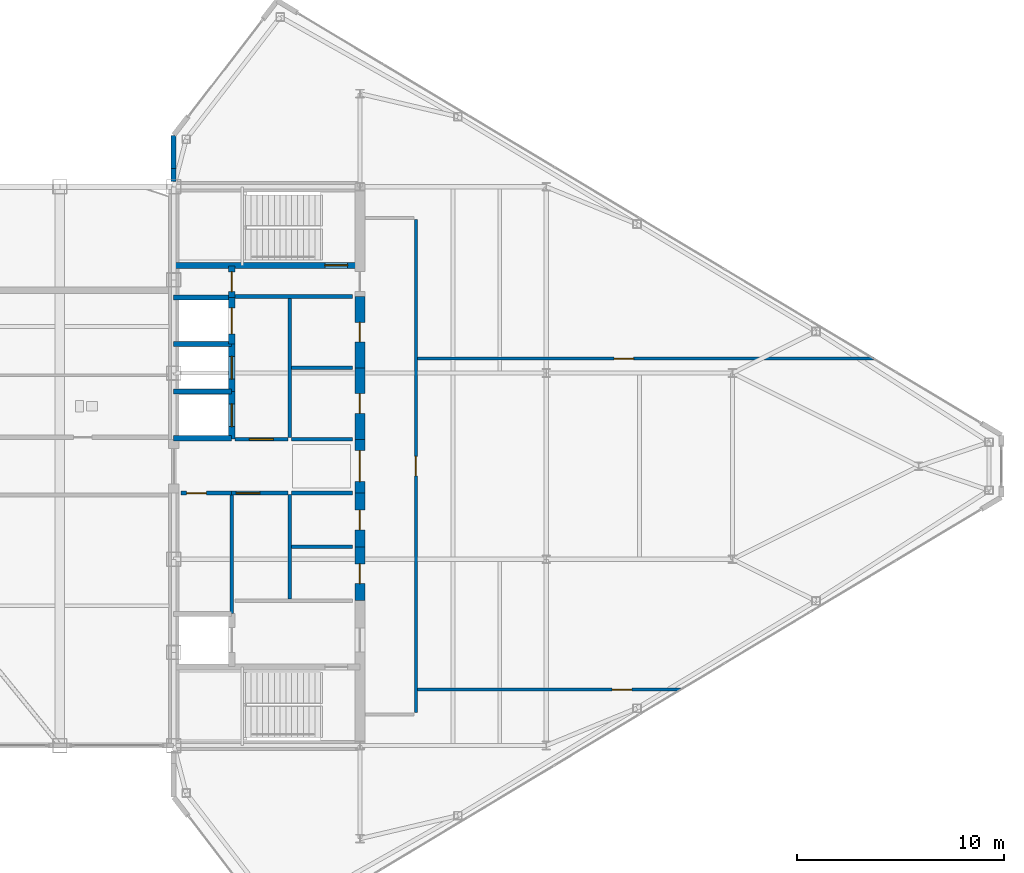
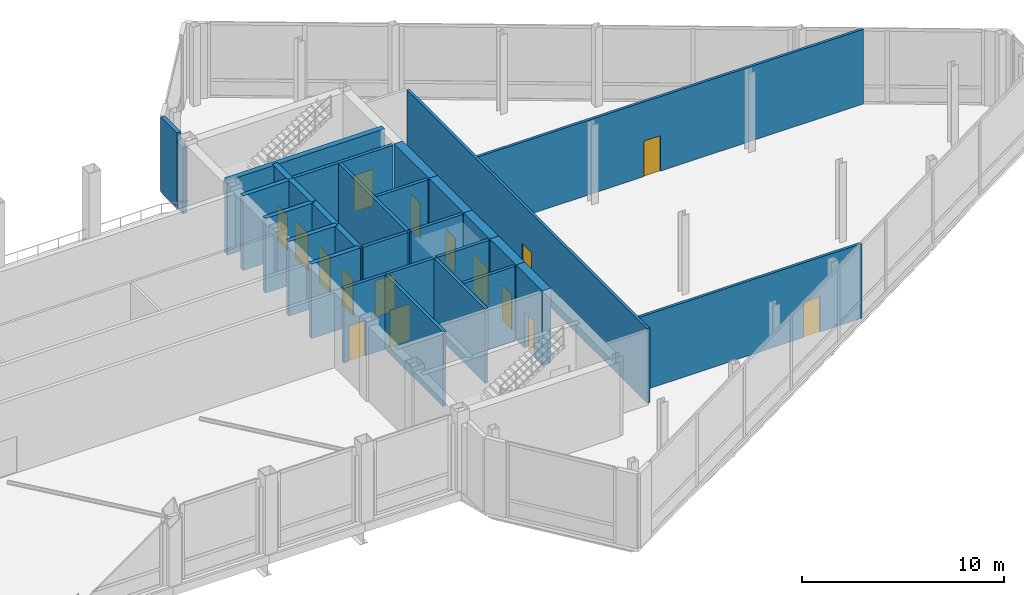
# One storey, part 24 of 28: 30 walls, 16 doors, 16 openings.
"""IFC4 building model written with IfcOpenShell, lengths in metres."""

from ifc_helpers import new_model, si_unit, direction, frame, frame_2d, origin, place, context, subcontext, project, spatial, rectangle, extrude, source, transform, mapped, material, layer, layer_set, type_object, type_shapes, element, fill, save


model = new_model("IFC4")

# Units and contexts
model_context = context("Model", 3, precision=1e-05, world=origin(), true_north=direction((0.0, 1.0)))
body_context = subcontext(model_context, "Body", "Model", "MODEL_VIEW")
ifc_project = project(units=[si_unit("LENGTHUNIT", "METRE"), si_unit("AREAUNIT", "SQUARE_METRE"), si_unit("VOLUMEUNIT", "CUBIC_METRE"), si_unit("PLANEANGLEUNIT", "RADIAN"), si_unit("MASSUNIT", "GRAM", prefix="KILO")], contexts=[model_context])

# Site, building, storey
site_placement = place(None, origin())
site = spatial("IfcSite", under=ifc_project, at=site_placement, CompositionType="ELEMENT")
building_placement = place(site_placement, origin())
building = spatial("IfcBuilding", under=site, at=building_placement, Name="Seokmaru Belvedere", CompositionType="ELEMENT")
storey_placement = place(building_placement, frame((0.0, 0.0, 274.199951171875)))
storey = spatial("IfcBuildingStorey", under=building, at=storey_placement, Name="L72", CompositionType="ELEMENT", Elevation=274.199951171875)

# Wall, opening, door
ifc_material_1 = material(Name="Fire-Rated Gypsum Shaftwall")
ifc_layer_1 = layer(ifc_material_1, 0.14990234375)
ifc_layer_set_1 = layer_set([ifc_layer_1], Name="Fire-Rated Gypsum Shaftwall")
wall_type_1 = type_object("IfcWallType", Name="Apartment Fire-Acoustic Room Partition 150", PredefinedType="PARTITIONING", material=ifc_layer_set_1)
wall_1_placement = place(storey_placement, frame((39.284912109375, -10.800048828125, 0.0), z_axis=(0.0, 0.0, 1.0), x_axis=(1.0, 0.0, 0.0)))
wall_1 = element("IfcWall", 1, at=wall_1_placement, inside=storey, type_object=wall_type_1, Name="L72 Interior Partition 004", PredefinedType="PARTITIONING", context=body_context, shape_type="SweptSolid", body=[
    extrude(rectangle(XDim=12.72509765625, YDim=0.14990234375, at=frame_2d((6.362548828125, 0.0))), origin(), (0.0, 0.0, 1.0), 4.52001953125),
])
opening_1_placement = place(wall_1_placement, frame((9.398681640625, 0.0, 0.0)))
opening_1 = element("IfcOpeningElement", 2, at=opening_1_placement, cuts=wall_1, Name="Opening D05", PredefinedType="OPENING", context=body_context, shape_type="SweptSolid", body=[
    extrude(rectangle(XDim=0.949951171875, YDim=2.14990234375, at=frame_2d((0.47509765625, 1.074951171875))), frame((0.0, 0.0849609375, 0.0), z_axis=(0.0, -1.0, 0.0), x_axis=(1.0, 0.0, 0.0)), (0.0, 0.0, 1.0), 0.169921875),
])
ifc_material_2 = material(Name="Engineered White Oak Timber", Category="wood")
door_type_1 = type_object("IfcDoorType", Name="Apartment Interior Fire-Rated Oak Door 950x2150", OperationType="NOTDEFINED", PredefinedType="DOOR", material=ifc_material_2)
shared_shape_1 = source(origin(), body_context, "Body", "SweptSolid", [
    extrude(rectangle(XDim=0.949951171875, YDim=2.14990234375, at=frame_2d((0.47509765625, 1.074951171875))), frame((0.0, 0.02490234375, 0.0), z_axis=(0.0, -1.0, 0.0), x_axis=(1.0, 0.0, 0.0)), (0.0, 0.0, 1.0), 0.050048828125),
])
type_shapes(door_type_1, [shared_shape_1])
door_1_placement = place(opening_1_placement, origin())
door_1 = element("IfcDoor", 3, at=door_1_placement, inside=storey, type_object=door_type_1, Name="L72 Interior Door 005", OperationType="SINGLE_SWING_LEFT", OverallHeight=2.14990234375, OverallWidth=0.949951171875, PredefinedType="DOOR", context=body_context, shape_type="MappedRepresentation", body=[
    mapped(shared_shape_1, transform((0.0, 0.0, 0.0), scale=1.0)),
])
fill(opening_1, door_1)

wall_2_placement = place(storey_placement, frame((39.284912109375, 5.199951171875, 0.0), z_axis=(0.0, 0.0, 1.0), x_axis=(1.0, 0.0, 0.0)))
wall_2 = element("IfcWall", 4, at=wall_2_placement, inside=storey, type_object=wall_type_1, Name="L72 Interior Partition 009", PredefinedType="PARTITIONING", context=body_context, shape_type="SweptSolid", body=[
    extrude(rectangle(XDim=22.05810546875, YDim=0.14990234375, at=frame_2d((11.029052734375, 0.0))), origin(), (0.0, 0.0, 1.0), 4.52001953125),
])
opening_2_placement = place(wall_2_placement, frame((9.489990234375, 0.0, 0.0)))
opening_2 = element("IfcOpeningElement", 5, at=opening_2_placement, cuts=wall_2, Name="Opening D05", PredefinedType="OPENING", context=body_context, shape_type="SweptSolid", body=[
    extrude(rectangle(XDim=0.949951171875, YDim=2.14990234375, at=frame_2d((0.47509765625, 1.074951171875))), frame((0.0, 0.0849609375, 0.0), z_axis=(0.0, -1.0, 0.0), x_axis=(1.0, 0.0, 0.0)), (0.0, 0.0, 1.0), 0.169921875),
])
door_2_placement = place(opening_2_placement, origin())
door_2 = element("IfcDoor", 6, at=door_2_placement, inside=storey, type_object=door_type_1, Name="L72 Interior Door 006", OperationType="SINGLE_SWING_RIGHT", OverallHeight=2.14990234375, OverallWidth=0.949951171875, PredefinedType="DOOR", context=body_context, shape_type="MappedRepresentation", body=[
    mapped(shared_shape_1, transform((0.0, 0.0, 0.0), scale=1.0)),
])
fill(opening_2, door_2)

wall_3_placement = place(storey_placement, frame((39.199951171875, -11.9150390625, 0.0), z_axis=(0.0, 0.0, 1.0), x_axis=(0.0, 1.0, 0.0)))
wall_3 = element("IfcWall", 7, at=wall_3_placement, inside=storey, type_object=wall_type_1, Name="L72 Interior Partition 016", PredefinedType="PARTITIONING", context=body_context, shape_type="SweptSolid", body=[
    extrude(rectangle(XDim=23.830078125, YDim=0.14990234375, at=frame_2d((11.9150390625, 0.0))), origin(), (0.0, 0.0, 1.0), 4.52001953125),
])
opening_3_placement = place(wall_3_placement, frame((11.43994140625, 0.0, 0.0)))
opening_3 = element("IfcOpeningElement", 8, at=opening_3_placement, cuts=wall_3, Name="Opening D05", PredefinedType="OPENING", context=body_context, shape_type="SweptSolid", body=[
    extrude(rectangle(XDim=0.949951171875, YDim=2.14990234375, at=frame_2d((0.47509765625, 1.074951171875))), frame((0.0, 0.0849609375, 0.0), z_axis=(0.0, -1.0, 0.0), x_axis=(1.0, 0.0, 0.0)), (0.0, 0.0, 1.0), 0.169921875),
])
door_3_placement = place(opening_3_placement, origin())
door_3 = element("IfcDoor", 9, at=door_3_placement, inside=storey, type_object=door_type_1, Name="L72 Interior Door 004", OperationType="SINGLE_SWING_RIGHT", OverallHeight=2.14990234375, OverallWidth=0.949951171875, PredefinedType="DOOR", context=body_context, shape_type="MappedRepresentation", body=[
    mapped(shared_shape_1, transform((0.0, 0.0, 0.0), scale=1.0)),
])
fill(opening_3, door_3)

# Walls
ifc_layer_2 = layer(ifc_material_1, 0.179931640625)
ifc_layer_set_2 = layer_set([ifc_layer_2], Name="Fire-Rated Gypsum Shaftwall")
wall_type_2 = type_object("IfcWallType", Name="Core Service Fire Partition 180", PredefinedType="PARTITIONING", material=ifc_layer_set_2)
wall_4_placement = place(storey_placement, frame((30.449951171875, 8.199951171875, 0.0), z_axis=(0.0, 0.0, 1.0), x_axis=(1.0, 0.0, 0.0)))
element("IfcWall", 10, at=wall_4_placement, inside=storey, type_object=wall_type_2, Name="L72 East Smokeproof Vestibule Partition", PredefinedType="PARTITIONING", context=body_context, shape_type="SweptSolid", body=[
    extrude(rectangle(XDim=5.699951171875, YDim=0.179931640625, at=frame_2d((2.85009765625, 0.0))), origin(), (0.0, 0.0, 1.0), 4.52001953125),
])
wall_5_placement = place(storey_placement, frame((33.10009765625, -6.419921875, 0.0), z_axis=(0.0, 0.0, 1.0), x_axis=(0.0, 1.0, 0.0)))
element("IfcWall", 11, at=wall_5_placement, inside=storey, type_object=wall_type_2, Name="L72 East South Core Service Back Wall", PredefinedType="PARTITIONING", context=body_context, shape_type="SweptSolid", body=[
    extrude(rectangle(XDim=5.0400390625, YDim=0.179931640625, at=frame_2d((2.52001953125, 0.0))), origin(), (0.0, 0.0, 1.0), 4.52001953125),
])
wall_6_placement = place(storey_placement, frame((33.10009765625, 1.3798828125, 0.0), z_axis=(0.0, 0.0, 1.0), x_axis=(0.0, 1.0, 0.0)))
element("IfcWall", 12, at=wall_6_placement, inside=storey, type_object=wall_type_2, Name="L72 East North Core Service Back Wall", PredefinedType="PARTITIONING", context=body_context, shape_type="SweptSolid", body=[
    extrude(rectangle(XDim=6.740234375, YDim=0.179931640625, at=frame_2d((3.3701171875, 0.0))), origin(), (0.0, 0.0, 1.0), 4.52001953125),
])

# Wall, opening, door
wall_7_placement = place(storey_placement, frame((27.85009765625, -1.300048828125, 0.0), z_axis=(0.0, 0.0, 1.0), x_axis=(1.0, 0.0, 0.0)))
wall_7 = element("IfcWall", 13, at=wall_7_placement, inside=storey, type_object=wall_type_2, Name="L72 East South Parcel Vault Foyer Wall", PredefinedType="PARTITIONING", context=body_context, shape_type="SweptSolid", body=[
    extrude(rectangle(XDim=2.449951171875, YDim=0.179931640625, at=frame_2d((1.22509765625, 0.0))), origin(), (0.0, 0.0, 1.0), 4.52001953125),
])
opening_4_placement = place(wall_7_placement, frame((0.27490234375, 0.0, 0.0)))
opening_4 = element("IfcOpeningElement", 14, at=opening_4_placement, cuts=wall_7, Name="Opening D04", PredefinedType="OPENING", context=body_context, shape_type="SweptSolid", body=[
    extrude(rectangle(XDim=0.949951171875, YDim=2.14990234375, at=frame_2d((0.47509765625, 1.074951171875))), frame((0.0, 0.10009765625, 0.0), z_axis=(0.0, -1.0, 0.0), x_axis=(1.0, 0.0, 0.0)), (0.0, 0.0, 1.0), 0.199951171875),
])
ifc_material_3 = material(Name="Fire-Rated Steel Leaf", Category="steel")
door_type_2 = type_object("IfcDoorType", Name="Core Service Room Fire Door 950x2150", OperationType="NOTDEFINED", PredefinedType="DOOR", material=ifc_material_3)
shared_shape_2 = source(origin(), body_context, "Body", "SweptSolid", [
    extrude(rectangle(XDim=0.949951171875, YDim=2.14990234375, at=frame_2d((0.47509765625, 1.074951171875))), frame((0.0, 0.02490234375, 0.0), z_axis=(0.0, -1.0, 0.0), x_axis=(1.0, 0.0, 0.0)), (0.0, 0.0, 1.0), 0.050048828125),
])
type_shapes(door_type_2, [shared_shape_2])
door_4_placement = place(opening_4_placement, origin())
door_4 = element("IfcDoor", 15, at=door_4_placement, inside=storey, type_object=door_type_2, Name="L72 East South Parcel Vault Door", OperationType="SINGLE_SWING_RIGHT", OverallHeight=2.14990234375, OverallWidth=0.949951171875, PredefinedType="DOOR", context=body_context, shape_type="MappedRepresentation", body=[
    mapped(shared_shape_2, transform((0.0, 0.0, 0.0), scale=1.0)),
])
fill(opening_4, door_4)

wall_8_placement = place(storey_placement, frame((30.300048828125, -1.300048828125, 0.0), z_axis=(0.0, 0.0, 1.0), x_axis=(1.0, 0.0, 0.0)))
wall_8 = element("IfcWall", 16, at=wall_8_placement, inside=storey, type_object=wall_type_2, Name="L72 East South Wine Cellar Foyer Wall", PredefinedType="PARTITIONING", context=body_context, shape_type="SweptSolid", body=[
    extrude(rectangle(XDim=2.719970703125, YDim=0.179931640625, at=frame_2d((1.35986328125, 0.0))), origin(), (0.0, 0.0, 1.0), 4.52001953125),
])
opening_5_placement = place(wall_8_placement, frame((0.2099609375, 0.0, 0.0)))
opening_5 = element("IfcOpeningElement", 17, at=opening_5_placement, cuts=wall_8, Name="Opening D02", PredefinedType="OPENING", context=body_context, shape_type="SweptSolid", body=[
    extrude(rectangle(XDim=1.14990234375, YDim=2.199951171875, at=frame_2d((0.574951171875, 1.10009765625))), frame((0.0, 0.10009765625, 0.0), z_axis=(0.0, -1.0, 0.0), x_axis=(1.0, 0.0, 0.0)), (0.0, 0.0, 1.0), 0.199951171875),
])
door_type_3 = type_object("IfcDoorType", Name="Lobby and Vestibule Fire Door 1150x2200", OperationType="NOTDEFINED", PredefinedType="DOOR", material=ifc_material_3)
shared_shape_3 = source(origin(), body_context, "Body", "SweptSolid", [
    extrude(rectangle(XDim=1.14990234375, YDim=2.199951171875, at=frame_2d((0.574951171875, 1.10009765625))), frame((0.0, 0.02490234375, 0.0), z_axis=(0.0, -1.0, 0.0), x_axis=(1.0, 0.0, 0.0)), (0.0, 0.0, 1.0), 0.050048828125),
])
type_shapes(door_type_3, [shared_shape_3])
door_5_placement = place(opening_5_placement, origin())
door_5 = element("IfcDoor", 18, at=door_5_placement, inside=storey, type_object=door_type_3, Name="L72 East South Core Foyer Door", OperationType="SINGLE_SWING_RIGHT", OverallHeight=2.199951171875, OverallWidth=1.14990234375, PredefinedType="DOOR", context=body_context, shape_type="MappedRepresentation", body=[
    mapped(shared_shape_3, transform((0.0, 0.0, 0.0), scale=1.0)),
])
fill(opening_5, door_5)

# Wall
wall_9_placement = place(storey_placement, frame((30.300048828125, -7.1201171875, 0.0), z_axis=(0.0, 0.0, 1.0), x_axis=(0.0, 1.0, 0.0)))
element("IfcWall", 19, at=wall_9_placement, inside=storey, type_object=wall_type_2, Name="L72 East Freed Shaft Vault Partition", PredefinedType="PARTITIONING", context=body_context, shape_type="SweptSolid", body=[
    extrude(rectangle(XDim=5.740234375, YDim=0.179931640625, at=frame_2d((2.8701171875, 0.0))), origin(), (0.0, 0.0, 1.0), 4.52001953125),
])

# Wall, opening, door
wall_10_placement = place(storey_placement, frame((30.449951171875, 1.300048828125, 0.0), z_axis=(0.0, 0.0, 1.0), x_axis=(1.0, 0.0, 0.0)))
wall_10 = element("IfcWall", 20, at=wall_10_placement, inside=storey, type_object=wall_type_2, Name="L72 East North Lift Lobby Foyer Wall", PredefinedType="PARTITIONING", context=body_context, shape_type="SweptSolid", body=[
    extrude(rectangle(XDim=2.570068359375, YDim=0.179931640625, at=frame_2d((1.28515625, 0.0))), origin(), (0.0, 0.0, 1.0), 4.52001953125),
])
opening_6_placement = place(wall_10_placement, frame((0.7099609375, 0.0, 0.0)))
opening_6 = element("IfcOpeningElement", 21, at=opening_6_placement, cuts=wall_10, Name="Opening D02", PredefinedType="OPENING", context=body_context, shape_type="SweptSolid", body=[
    extrude(rectangle(XDim=1.14990234375, YDim=2.199951171875, at=frame_2d((0.574951171875, 1.10009765625))), frame((0.0, 0.10009765625, 0.0), z_axis=(0.0, -1.0, 0.0), x_axis=(1.0, 0.0, 0.0)), (0.0, 0.0, 1.0), 0.199951171875),
])
door_6_placement = place(opening_6_placement, origin())
door_6 = element("IfcDoor", 22, at=door_6_placement, inside=storey, type_object=door_type_3, Name="L72 East North Lift Lobby Door", OperationType="SINGLE_SWING_LEFT", OverallHeight=2.199951171875, OverallWidth=1.14990234375, PredefinedType="DOOR", context=body_context, shape_type="MappedRepresentation", body=[
    mapped(shared_shape_3, transform((0.0, 0.0, 0.0), scale=1.0)),
])
fill(opening_6, door_6)

# Walls
for number, where, z_axis, x_axis, name in (
    (23, (33.199951171875, -1.300048828125, 0.0), (0.0, 0.0, 1.0), (1.0, 0.0, 0.0), "L72 East Foyer Side Wall S"),
    (24, (33.199951171875, 1.300048828125, 0.0), (0.0, 0.0, 1.0), (1.0, 0.0, 0.0), "L72 East Foyer Side Wall N"),
    (25, (33.199951171875, -3.89990234375, 0.0), (0.0, 0.0, 1.0), (1.0, 0.0, 0.0), "L72 East Core Service Partition 1"),
    (26, (33.199951171875, 4.75, 0.0), (0.0, 0.0, 1.0), (1.0, 0.0, 0.0), "L72 East Core Service Partition 2"),
):
    element("IfcWall", number, at=place(storey_placement, frame(where, z_axis=z_axis, x_axis=x_axis)), inside=storey, type_object=wall_type_2, Name=name, PredefinedType="PARTITIONING", context=body_context, shape_type="SweptSolid", body=[
        extrude(rectangle(XDim=2.949951171875, YDim=0.179931640625, at=frame_2d((1.47509765625, 0.0))), origin(), (0.0, 0.0, 1.0), 4.52001953125),
    ])
ifc_material_4 = material(Name="Concrete C50 (50 MPa)", Category="concrete")
ifc_layer_3 = layer(ifc_material_4, 0.25)
ifc_layer_set_3 = layer_set([ifc_layer_3], Name="Concrete C50 (50 MPa)")
wall_type_3 = type_object("IfcWallType", Name="Hoistway Transverse Concrete Divider Wall 250", PredefinedType="SHEAR", material=ifc_layer_set_3)
for number, where, z_axis, x_axis, name in (
    (27, (27.5, 1.35009765625, 0.0), (0.0, 0.0, 1.0), (1.0, 0.0, 0.0), "L72 East Hoistway Divider Core Wall 2"),
    (28, (27.5, 3.60009765625, 0.0), (0.0, 0.0, 1.0), (1.0, 0.0, 0.0), "L72 East Hoistway Divider Core Wall 3"),
    (29, (27.5, 5.89990234375, 0.0), (0.0, 0.0, 1.0), (1.0, 0.0, 0.0), "L72 East Hoistway Divider Core Wall 4"),
    (30, (27.5, 8.14990234375, 0.0), (0.0, 0.0, 1.0), (1.0, 0.0, 0.0), "L72 East Hoistway Divider Core Wall 5"),
):
    element("IfcWall", number, at=place(storey_placement, frame(where, z_axis=z_axis, x_axis=x_axis)), inside=storey, type_object=wall_type_3, Name=name, PredefinedType="SHEAR", context=body_context, shape_type="SweptSolid", body=[
        extrude(rectangle(XDim=2.800048828125, YDim=0.25, at=frame_2d((1.39990234375, 0.0))), origin(), (0.0, 0.0, 1.0), 4.52001953125),
    ])

# Wall, opening, door
ifc_layer_4 = layer(ifc_material_4, 0.300048828125)
ifc_layer_set_4 = layer_set([ifc_layer_4], Name="Concrete C50 (50 MPa)")
wall_type_4 = type_object("IfcWallType", Name="Internal Core Stair and Hoistway Wall 300", PredefinedType="SHEAR", material=ifc_layer_set_4)
wall_11_placement = place(storey_placement, frame((27.5, 9.699951171875, 0.0), z_axis=(0.0, 0.0, 1.0), x_axis=(1.0, 0.0, 0.0)))
wall_11 = element("IfcWall", 31, at=wall_11_placement, inside=storey, type_object=wall_type_4, Name="L72 East Stair ST-2 Enclosure Wall", PredefinedType="SHEAR", context=body_context, shape_type="SweptSolid", body=[
    extrude(rectangle(XDim=9.0, YDim=0.300048828125, at=frame_2d((4.5, 0.0))), origin(), (0.0, 0.0, 1.0), 4.52001953125),
])
opening_7_placement = place(wall_11_placement, frame((7.300048828125, 0.0, 0.0)))
opening_7 = element("IfcOpeningElement", 32, at=opening_7_placement, cuts=wall_11, Name="Opening D01", PredefinedType="OPENING", context=body_context, shape_type="SweptSolid", body=[
    extrude(rectangle(XDim=1.10009765625, YDim=2.199951171875, at=frame_2d((0.550048828125, 1.10009765625))), frame((0.0, 0.16015625, 0.0), z_axis=(0.0, -1.0, 0.0), x_axis=(1.0, 0.0, 0.0)), (0.0, 0.0, 1.0), 0.320068359375),
])
door_type_4 = type_object("IfcDoorType", Name="Special Escape Stair Smokeproof Fire Door 1100x2200", OperationType="NOTDEFINED", PredefinedType="DOOR", material=ifc_material_3)
shared_shape_4 = source(origin(), body_context, "Body", "SweptSolid", [
    extrude(rectangle(XDim=1.10009765625, YDim=2.199951171875, at=frame_2d((0.550048828125, 1.10009765625))), frame((0.0, 0.02490234375, 0.0), z_axis=(0.0, -1.0, 0.0), x_axis=(1.0, 0.0, 0.0)), (0.0, 0.0, 1.0), 0.050048828125),
])
type_shapes(door_type_4, [shared_shape_4])
door_7_placement = place(opening_7_placement, origin())
door_7 = element("IfcDoor", 33, at=door_7_placement, inside=storey, type_object=door_type_4, Name="L72 East Special Escape Stair ST-2 Door", OperationType="SINGLE_SWING_LEFT", OverallHeight=2.199951171875, OverallWidth=1.10009765625, PredefinedType="DOOR", context=body_context, shape_type="MappedRepresentation", body=[
    mapped(shared_shape_4, transform((0.0, 0.0, 0.0), scale=1.0)),
])
fill(opening_7, door_7)

wall_12_placement = place(storey_placement, frame((30.300048828125, 1.320068359375, 0.0), z_axis=(0.0, 0.0, 1.0), x_axis=(0.0, 1.0, 0.0)))
wall_12 = element("IfcWall", 34, at=wall_12_placement, inside=storey, type_object=wall_type_4, Name="L72 East North Hoistway Wall PH1", PredefinedType="SHEAR", context=body_context, shape_type="SweptSolid", body=[
    extrude(rectangle(XDim=2.280029296875, YDim=0.300048828125, at=frame_2d((1.14013671875, 0.0))), origin(), (0.0, 0.0, 1.0), 4.52001953125),
])
opening_8_placement = place(wall_12_placement, frame((0.590087890625, 0.0, 0.0)))
opening_8 = element("IfcOpeningElement", 35, at=opening_8_placement, cuts=wall_12, Name="Opening LD1", PredefinedType="OPENING", context=body_context, shape_type="SweptSolid", body=[
    extrude(rectangle(XDim=1.10009765625, YDim=2.199951171875, at=frame_2d((0.550048828125, 1.10009765625))), frame((0.0, 0.16015625, 0.0), z_axis=(0.0, -1.0, 0.0), x_axis=(1.0, 0.0, 0.0)), (0.0, 0.0, 1.0), 0.320068359375),
])
ifc_material_5 = material(Name="Stainless Steel 316", Category="steel")
door_type_5 = type_object("IfcDoorType", Name="Passenger Lift Sliding Landing Door 1100x2200", OperationType="DOUBLE_DOOR_SLIDING", PredefinedType="DOOR", material=ifc_material_5)
shared_shape_5 = source(origin(), body_context, "Body", "SweptSolid", [
    extrude(rectangle(XDim=1.10009765625, YDim=2.199951171875, at=frame_2d((0.550048828125, 1.10009765625))), frame((0.0, 0.02490234375, 0.0), z_axis=(0.0, -1.0, 0.0), x_axis=(1.0, 0.0, 0.0)), (0.0, 0.0, 1.0), 0.050048828125),
])
type_shapes(door_type_5, [shared_shape_5])
door_8_placement = place(opening_8_placement, origin())
door_8 = element("IfcDoor", 36, at=door_8_placement, inside=storey, type_object=door_type_5, Name="L72 East High-Rise Lift PH-1 Landing Door", OperationType="DOUBLE_DOOR_SLIDING", OverallHeight=2.199951171875, OverallWidth=1.10009765625, PredefinedType="DOOR", context=body_context, shape_type="MappedRepresentation", body=[
    mapped(shared_shape_5, transform((0.0, 0.0, 0.0), scale=1.0)),
])
fill(opening_8, door_8)

wall_13_placement = place(storey_placement, frame((30.300048828125, 3.60009765625, 0.0), z_axis=(0.0, 0.0, 1.0), x_axis=(0.0, 1.0, 0.0)))
wall_13 = element("IfcWall", 37, at=wall_13_placement, inside=storey, type_object=wall_type_4, Name="L72 East North Hoistway Wall PH2", PredefinedType="SHEAR", context=body_context, shape_type="SweptSolid", body=[
    extrude(rectangle(XDim=2.2998046875, YDim=0.300048828125, at=frame_2d((1.14990234375, 0.0))), origin(), (0.0, 0.0, 1.0), 4.52001953125),
])
opening_9_placement = place(wall_13_placement, frame((0.60009765625, 0.0, 0.0)))
opening_9 = element("IfcOpeningElement", 38, at=opening_9_placement, cuts=wall_13, Name="Opening LD1", PredefinedType="OPENING", context=body_context, shape_type="SweptSolid", body=[
    extrude(rectangle(XDim=1.10009765625, YDim=2.199951171875, at=frame_2d((0.550048828125, 1.10009765625))), frame((0.0, 0.16015625, 0.0), z_axis=(0.0, -1.0, 0.0), x_axis=(1.0, 0.0, 0.0)), (0.0, 0.0, 1.0), 0.320068359375),
])
door_9_placement = place(opening_9_placement, origin())
door_9 = element("IfcDoor", 39, at=door_9_placement, inside=storey, type_object=door_type_5, Name="L72 East High-Rise Lift PH-2 Landing Door", OperationType="DOUBLE_DOOR_SLIDING", OverallHeight=2.199951171875, OverallWidth=1.10009765625, PredefinedType="DOOR", context=body_context, shape_type="MappedRepresentation", body=[
    mapped(shared_shape_5, transform((0.0, 0.0, 0.0), scale=1.0)),
])
fill(opening_9, door_9)

wall_14_placement = place(storey_placement, frame((30.300048828125, 5.89990234375, 0.0), z_axis=(0.0, 0.0, 1.0), x_axis=(0.0, 1.0, 0.0)))
wall_14 = element("IfcWall", 40, at=wall_14_placement, inside=storey, type_object=wall_type_4, Name="L72 East North Hoistway Wall OBS", PredefinedType="SHEAR", context=body_context, shape_type="SweptSolid", body=[
    extrude(rectangle(XDim=2.25, YDim=0.300048828125, at=frame_2d((1.125, 0.0))), origin(), (0.0, 0.0, 1.0), 4.52001953125),
])
opening_10_placement = place(wall_14_placement, frame((0.4951171875, 0.0, 0.0)))
opening_10 = element("IfcOpeningElement", 41, at=opening_10_placement, cuts=wall_14, Name="Opening LD3", PredefinedType="OPENING", context=body_context, shape_type="SweptSolid", body=[
    extrude(rectangle(XDim=1.25, YDim=2.300048828125, at=frame_2d((0.625, 1.14990234375))), frame((0.0, 0.16015625, 0.0), z_axis=(0.0, -1.0, 0.0), x_axis=(1.0, 0.0, 0.0)), (0.0, 0.0, 1.0), 0.320068359375),
])
door_type_6 = type_object("IfcDoorType", Name="Observatory Shuttle Sliding Landing Door 1250x2300", OperationType="DOUBLE_DOOR_SLIDING", PredefinedType="DOOR", material=ifc_material_5)
shared_shape_6 = source(origin(), body_context, "Body", "SweptSolid", [
    extrude(rectangle(XDim=1.25, YDim=2.300048828125, at=frame_2d((0.625, 1.14990234375))), frame((0.0, 0.02490234375, 0.0), z_axis=(0.0, -1.0, 0.0), x_axis=(1.0, 0.0, 0.0)), (0.0, 0.0, 1.0), 0.050048828125),
])
type_shapes(door_type_6, [shared_shape_6])
door_10_placement = place(opening_10_placement, origin())
door_10 = element("IfcDoor", 42, at=door_10_placement, inside=storey, type_object=door_type_6, Name="L72 East Express Observatory Lift Landing Door", OperationType="DOUBLE_DOOR_SLIDING", OverallHeight=2.300048828125, OverallWidth=1.25, PredefinedType="DOOR", context=body_context, shape_type="MappedRepresentation", body=[
    mapped(shared_shape_6, transform((0.0, 0.0, 0.0), scale=1.0)),
])
fill(opening_10, door_10)

wall_15_placement = place(storey_placement, frame((30.300048828125, 8.14990234375, 0.0), z_axis=(0.0, 0.0, 1.0), x_axis=(0.0, 1.0, 0.0)))
wall_15 = element("IfcWall", 43, at=wall_15_placement, inside=storey, type_object=wall_type_4, Name="L72 East Electrical Riser Front Wall", PredefinedType="SHEAR", context=body_context, shape_type="SweptSolid", body=[
    extrude(rectangle(XDim=1.530029296875, YDim=0.300048828125, at=frame_2d((0.76513671875, 0.0))), origin(), (0.0, 0.0, 1.0), 4.52001953125),
])
opening_11_placement = place(wall_15_placement, frame((0.284912109375, 0.0, 0.0)))
opening_11 = element("IfcOpeningElement", 44, at=opening_11_placement, cuts=wall_15, Name="Opening D04", PredefinedType="OPENING", context=body_context, shape_type="SweptSolid", body=[
    extrude(rectangle(XDim=0.949951171875, YDim=2.14990234375, at=frame_2d((0.47509765625, 1.074951171875))), frame((0.0, 0.16015625, 0.0), z_axis=(0.0, -1.0, 0.0), x_axis=(1.0, 0.0, 0.0)), (0.0, 0.0, 1.0), 0.320068359375),
])
door_11_placement = place(opening_11_placement, origin())
door_11 = element("IfcDoor", 45, at=door_11_placement, inside=storey, type_object=door_type_2, Name="L72 East Electrical Riser Access Door", OperationType="SINGLE_SWING_RIGHT", OverallHeight=2.14990234375, OverallWidth=0.949951171875, PredefinedType="DOOR", context=body_context, shape_type="MappedRepresentation", body=[
    mapped(shared_shape_2, transform((0.0, 0.0, 0.0), scale=1.0)),
])
fill(opening_11, door_11)

# Walls
ifc_material_6 = material(Name="Anodised Bronze Aluminium", Category="aluminium")
ifc_layer_5 = layer(ifc_material_6, 0.239990234375)
ifc_layer_set_5 = layer_set([ifc_layer_5], Name="Anodised Bronze Aluminium")
wall_type_5 = type_object("IfcWallType", Name="Tower Corner Spandrel Closure Wall 240", PredefinedType="SOLIDWALL", material=ifc_layer_set_5)
wall_16_placement = place(storey_placement, frame((27.5, 13.7548828125, 0.0), z_axis=(0.0, 0.0, 1.0), x_axis=(0.0, 1.0, 0.0)))
element("IfcWall", 46, at=wall_16_placement, inside=storey, type_object=wall_type_5, Name="L72 E Shoulder Closure Wall 2", PredefinedType="SOLIDWALL", context=body_context, shape_type="SweptSolid", body=[
    extrude(rectangle(XDim=0.619873046875, YDim=0.239990234375, at=frame_2d((0.31005859375, 0.0))), origin(), (0.0, 0.0, 1.0), 4.02001953125),
])
wall_17_placement = place(storey_placement, frame((27.5, 14.374755859375, 0.0), z_axis=(0.0, 0.0, 1.0), x_axis=(0.0, 1.0, 0.0)))
element("IfcWall", 47, at=wall_17_placement, inside=storey, type_object=wall_type_5, Name="L72 E Shoulder Closure Wall 2 Part 2", PredefinedType="SOLIDWALL", context=body_context, shape_type="SweptSolid", body=[
    extrude(rectangle(XDim=1.605224609375, YDim=0.239990234375, at=frame_2d((0.802734375, 0.0))), origin(), (0.0, 0.0, 1.0), 4.52001953125),
])

# Wall, opening, door
ifc_layer_6 = layer(ifc_material_4, 0.5)
ifc_layer_set_6 = layer_set([ifc_layer_6], Name="Concrete C50 (50 MPa)")
wall_type_6 = type_object("IfcWallType", Name="Upper Tower Reinforced Concrete Core Wall 500", PredefinedType="SHEAR", material=ifc_layer_set_6)
wall_18_placement = place(storey_placement, frame((36.5, -1.300048828125, 0.0), z_axis=(0.0, 0.0, 1.0), x_axis=(0.0, 1.0, 0.0)))
wall_18 = element("IfcWall", 48, at=wall_18_placement, inside=storey, type_object=wall_type_6, Name="L72 East West Core Wall FOY", PredefinedType="SHEAR", context=body_context, shape_type="SweptSolid", body=[
    extrude(rectangle(XDim=2.60009765625, YDim=0.5, at=frame_2d((1.300048828125, 0.0))), origin(), (0.0, 0.0, 1.0), 4.52001953125),
])
opening_12_placement = place(wall_18_placement, frame((0.550048828125, 0.0, 0.0)))
opening_12 = element("IfcOpeningElement", 49, at=opening_12_placement, cuts=wall_18, Name="Opening D08", PredefinedType="OPENING", context=body_context, shape_type="SweptSolid", body=[
    extrude(rectangle(XDim=1.5, YDim=2.300048828125, at=frame_2d((0.75, 1.14990234375))), frame((0.0, 0.260009765625, 0.0), z_axis=(0.0, -1.0, 0.0), x_axis=(1.0, 0.0, 0.0)), (0.0, 0.0, 1.0), 0.52001953125),
])
door_type_7 = type_object("IfcDoorType", Name="Cross-Corridor Compartment Double Fire Door 1500x2300", OperationType="DOUBLE_SWING_LEFT", PredefinedType="DOOR", material=ifc_material_3)
shared_shape_7 = source(origin(), body_context, "Body", "SweptSolid", [
    extrude(rectangle(XDim=1.5, YDim=2.300048828125, at=frame_2d((0.75, 1.14990234375))), frame((0.0, 0.02490234375, 0.0), z_axis=(0.0, -1.0, 0.0), x_axis=(1.0, 0.0, 0.0)), (0.0, 0.0, 1.0), 0.050048828125),
])
type_shapes(door_type_7, [shared_shape_7])
door_12_placement = place(opening_12_placement, origin())
door_12 = element("IfcDoor", 50, at=door_12_placement, inside=storey, type_object=door_type_7, Name="L72 East Core Foyer Compartment Door", OperationType="DOUBLE_SWING_LEFT", OverallHeight=2.300048828125, OverallWidth=1.5, PredefinedType="DOOR", context=body_context, shape_type="MappedRepresentation", body=[
    mapped(shared_shape_7, transform((0.0, 0.0, 0.0), scale=1.0)),
])
fill(opening_12, door_12)

wall_19_placement = place(storey_placement, frame((36.5, -6.5, 0.0), z_axis=(0.0, 0.0, 1.0), x_axis=(0.0, 1.0, 0.0)))
wall_19 = element("IfcWall", 51, at=wall_19_placement, inside=storey, type_object=wall_type_6, Name="L72 East West Core Wall CS1", PredefinedType="SHEAR", context=body_context, shape_type="SweptSolid", body=[
    extrude(rectangle(XDim=2.60009765625, YDim=0.5, at=frame_2d((1.300048828125, 0.0))), origin(), (0.0, 0.0, 1.0), 4.52001953125),
])
opening_13_placement = place(wall_19_placement, frame((0.824951171875, 0.0, 0.0)))
opening_13 = element("IfcOpeningElement", 52, at=opening_13_placement, cuts=wall_19, Name="Opening D04", PredefinedType="OPENING", context=body_context, shape_type="SweptSolid", body=[
    extrude(rectangle(XDim=0.949951171875, YDim=2.14990234375, at=frame_2d((0.47509765625, 1.074951171875))), frame((0.0, 0.260009765625, 0.0), z_axis=(0.0, -1.0, 0.0), x_axis=(1.0, 0.0, 0.0)), (0.0, 0.0, 1.0), 0.52001953125),
])
door_13_placement = place(opening_13_placement, origin())
door_13 = element("IfcDoor", 53, at=door_13_placement, inside=storey, type_object=door_type_2, Name="L72 East Core Service Room Door 1", OperationType="SINGLE_SWING_RIGHT", OverallHeight=2.14990234375, OverallWidth=0.949951171875, PredefinedType="DOOR", context=body_context, shape_type="MappedRepresentation", body=[
    mapped(shared_shape_2, transform((0.0, 0.0, 0.0), scale=1.0)),
])
fill(opening_13, door_13)

wall_20_placement = place(storey_placement, frame((36.5, -3.89990234375, 0.0), z_axis=(0.0, 0.0, 1.0), x_axis=(0.0, 1.0, 0.0)))
wall_20 = element("IfcWall", 54, at=wall_20_placement, inside=storey, type_object=wall_type_6, Name="L72 East West Core Wall CS2", PredefinedType="SHEAR", context=body_context, shape_type="SweptSolid", body=[
    extrude(rectangle(XDim=2.599853515625, YDim=0.5, at=frame_2d((1.2998046875, 0.0))), origin(), (0.0, 0.0, 1.0), 4.52001953125),
])
opening_14_placement = place(wall_20_placement, frame((0.824951171875, 0.0, 0.0)))
opening_14 = element("IfcOpeningElement", 55, at=opening_14_placement, cuts=wall_20, Name="Opening D04", PredefinedType="OPENING", context=body_context, shape_type="SweptSolid", body=[
    extrude(rectangle(XDim=0.949951171875, YDim=2.14990234375, at=frame_2d((0.47509765625, 1.074951171875))), frame((0.0, 0.260009765625, 0.0), z_axis=(0.0, -1.0, 0.0), x_axis=(1.0, 0.0, 0.0)), (0.0, 0.0, 1.0), 0.52001953125),
])
door_14_placement = place(opening_14_placement, origin())
door_14 = element("IfcDoor", 56, at=door_14_placement, inside=storey, type_object=door_type_2, Name="L72 East Core Service Room Door 2", OperationType="SINGLE_SWING_LEFT", OverallHeight=2.14990234375, OverallWidth=0.949951171875, PredefinedType="DOOR", context=body_context, shape_type="MappedRepresentation", body=[
    mapped(shared_shape_2, transform((0.0, 0.0, 0.0), scale=1.0)),
])
fill(opening_14, door_14)

wall_21_placement = place(storey_placement, frame((36.5, 1.300048828125, 0.0), z_axis=(0.0, 0.0, 1.0), x_axis=(0.0, 1.0, 0.0)))
wall_21 = element("IfcWall", 57, at=wall_21_placement, inside=storey, type_object=wall_type_6, Name="L72 East West Core Wall CS3", PredefinedType="SHEAR", context=body_context, shape_type="SweptSolid", body=[
    extrude(rectangle(XDim=3.449951171875, YDim=0.5, at=frame_2d((1.72509765625, 0.0))), origin(), (0.0, 0.0, 1.0), 4.52001953125),
])
opening_15_placement = place(wall_21_placement, frame((1.25, 0.0, 0.0)))
opening_15 = element("IfcOpeningElement", 58, at=opening_15_placement, cuts=wall_21, Name="Opening D04", PredefinedType="OPENING", context=body_context, shape_type="SweptSolid", body=[
    extrude(rectangle(XDim=0.949951171875, YDim=2.14990234375, at=frame_2d((0.47509765625, 1.074951171875))), frame((0.0, 0.260009765625, 0.0), z_axis=(0.0, -1.0, 0.0), x_axis=(1.0, 0.0, 0.0)), (0.0, 0.0, 1.0), 0.52001953125),
])
door_15_placement = place(opening_15_placement, origin())
door_15 = element("IfcDoor", 59, at=door_15_placement, inside=storey, type_object=door_type_2, Name="L72 East Core Service Room Door 3", OperationType="SINGLE_SWING_RIGHT", OverallHeight=2.14990234375, OverallWidth=0.949951171875, PredefinedType="DOOR", context=body_context, shape_type="MappedRepresentation", body=[
    mapped(shared_shape_2, transform((0.0, 0.0, 0.0), scale=1.0)),
])
fill(opening_15, door_15)

wall_22_placement = place(storey_placement, frame((36.5, 4.75, 0.0), z_axis=(0.0, 0.0, 1.0), x_axis=(0.0, 1.0, 0.0)))
wall_22 = element("IfcWall", 60, at=wall_22_placement, inside=storey, type_object=wall_type_6, Name="L72 East West Core Wall CS4", PredefinedType="SHEAR", context=body_context, shape_type="SweptSolid", body=[
    extrude(rectangle(XDim=3.449951171875, YDim=0.5, at=frame_2d((1.72509765625, 0.0))), origin(), (0.0, 0.0, 1.0), 4.52001953125),
])
opening_16_placement = place(wall_22_placement, frame((1.25, 0.0, 0.0)))
opening_16 = element("IfcOpeningElement", 61, at=opening_16_placement, cuts=wall_22, Name="Opening D04", PredefinedType="OPENING", context=body_context, shape_type="SweptSolid", body=[
    extrude(rectangle(XDim=0.949951171875, YDim=2.14990234375, at=frame_2d((0.47509765625, 1.074951171875))), frame((0.0, 0.260009765625, 0.0), z_axis=(0.0, -1.0, 0.0), x_axis=(1.0, 0.0, 0.0)), (0.0, 0.0, 1.0), 0.52001953125),
])
door_16_placement = place(opening_16_placement, origin())
door_16 = element("IfcDoor", 62, at=door_16_placement, inside=storey, type_object=door_type_2, Name="L72 East Core Service Room Door 4", OperationType="SINGLE_SWING_LEFT", OverallHeight=2.14990234375, OverallWidth=0.949951171875, PredefinedType="DOOR", context=body_context, shape_type="MappedRepresentation", body=[
    mapped(shared_shape_2, transform((0.0, 0.0, 0.0), scale=1.0)),
])
fill(opening_16, door_16)

save(model, "model.ifc")
